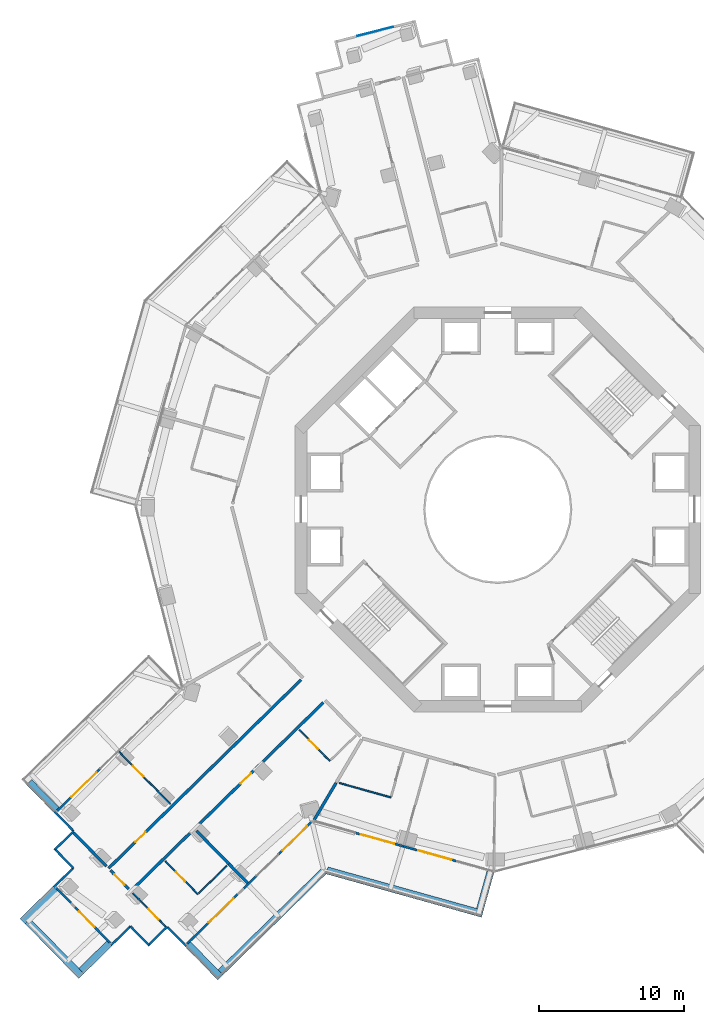
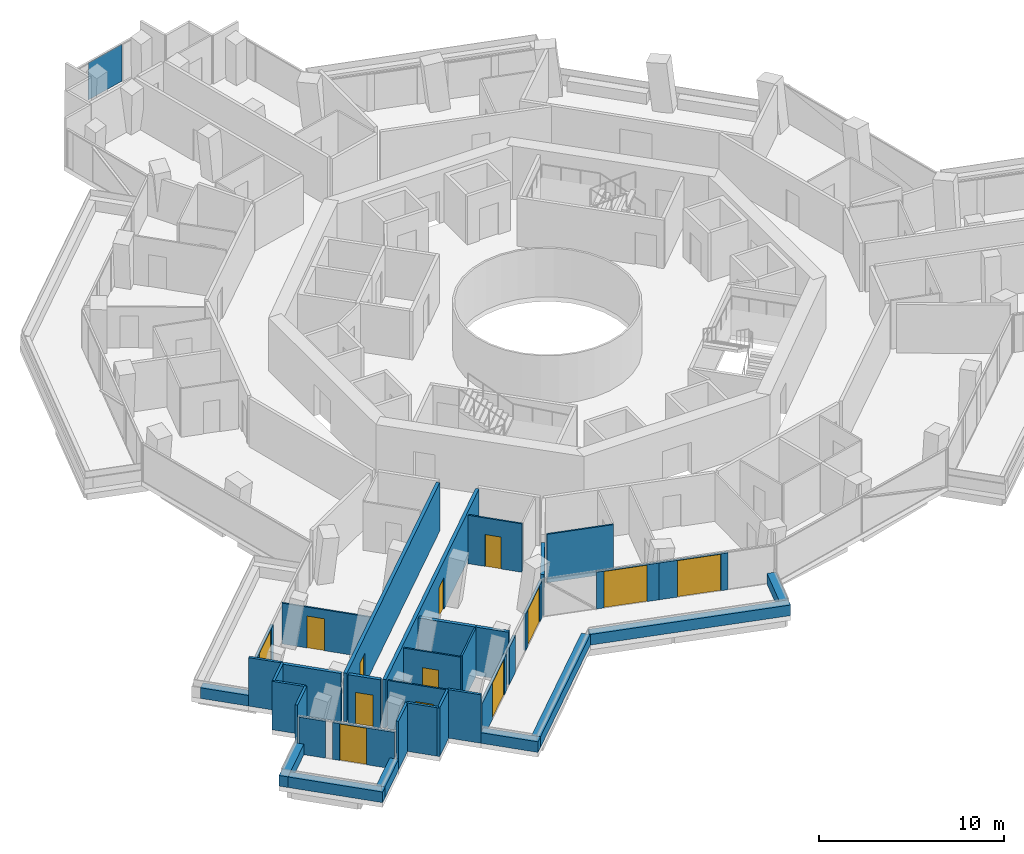
# One storey, part 18 of 26: 37 walls, 13 doors, 1 plate, 13 openings, 1 element without a shape of its own.
"""IFC4 building model written with IfcOpenShell, lengths in metres."""

from ifc_helpers import new_model, si_unit, direction, frame, frame_2d, origin, origin_2d, place, context, subcontext, project, spatial, rectangle, extrude, material, layer, layer_set, type_object, element, fill, aggregate, save


model = new_model("IFC4")

# Units and contexts
model_context = context("Model", 3, precision=1e-05, world=origin(), true_north=direction((0.0, 1.0)))
body_context = subcontext(model_context, "Body", "Model", "MODEL_VIEW")
ifc_project = project(units=[si_unit("LENGTHUNIT", "METRE"), si_unit("AREAUNIT", "SQUARE_METRE"), si_unit("VOLUMEUNIT", "CUBIC_METRE"), si_unit("PLANEANGLEUNIT", "RADIAN"), si_unit("MASSUNIT", "GRAM", prefix="KILO")], contexts=[model_context])

# Site, building, storey
site_placement = place(None, origin())
site = spatial("IfcSite", under=ifc_project, at=site_placement, CompositionType="ELEMENT")
building_placement = place(site_placement, origin())
building = spatial("IfcBuilding", under=site, at=building_placement, Name="Verdalira Terraces Hotel", CompositionType="ELEMENT")
storey_placement = place(building_placement, frame((0.0, 0.0, 93.0)))
storey = spatial("IfcBuildingStorey", under=building, at=storey_placement, Name="L21", CompositionType="ELEMENT", Elevation=93.0)

# Curtain wall, plate
ifc_material_1 = material(Name="Clear glass", Category="glass")
ifc_layer_1 = layer(ifc_material_1, 0.14990234375)
ifc_layer_set_1 = layer_set([ifc_layer_1], Name="CW3 curtain wall")
curtain_wall_type = type_object("IfcCurtainWallType", Name="CW3 curtain wall", PredefinedType="NOTDEFINED", material=ifc_layer_set_1)
curtain_wall_placement = place(storey_placement, origin())
curtain_wall = element("IfcCurtainWall", 1, at=curtain_wall_placement, inside=storey, type_object=curtain_wall_type, Name="CW3 curtain wall L21 edge 5", PredefinedType="NOTDEFINED")
ifc_material_2 = material(Name="Clear glass", Category="glass")
ifc_layer_2 = layer(ifc_material_2, 0.035888671875)
ifc_layer_set_2 = layer_set([ifc_layer_2], Name="CW3 glass unit 36")
plate_type = type_object("IfcPlateType", Name="CW3 glass unit 36", PredefinedType="CURTAIN_PANEL", material=ifc_layer_set_2)
plate_placement = place(storey_placement, frame((-8.459717, 33.041504, 0.0), z_axis=(0.0, 0.0, 1.0), x_axis=(-0.968583161, -0.248689887, 0.0)))
plate = element("IfcPlate", 2, at=plate_placement, type_object=plate_type, Name="CW3 glass unit", PredefinedType="CURTAIN_PANEL", context=body_context, shape_type="SweptSolid", body=[
    extrude(rectangle(XDim=2.546143, YDim=0.035889, at=origin_2d()), origin(), (0.0, 0.0, 1.0), 2.425049),
])
aggregate(curtain_wall, [plate])

# Walls
ifc_material_3 = material(Name="Concrete C40", Category="concrete")
ifc_layer_3 = layer(ifc_material_3, 0.5)
ifc_layer_set_3 = layer_set([ifc_layer_3], Name="Balcony planter trough with tree")
wall_type_1 = type_object("IfcWallType", Name="Balcony planter trough with tree", PredefinedType="SOLIDWALL", material=ifc_layer_set_3)
wall_1_placement = place(storey_placement, frame((-32.395264, -18.847168, 0.0), z_axis=(0.0, 0.0, 1.0), x_axis=(0.699604588, -0.71453021, 0.0)))
element("IfcWall", 3, at=wall_1_placement, inside=storey, type_object=wall_type_1, Name="Balcony planter", PredefinedType="SOLIDWALL", context=body_context, shape_type="SweptSolid", body=[
    extrude(rectangle(XDim=2.698975, YDim=0.5, at=frame_2d((1.349609, 0.0))), origin(), (0.0, 0.0, 1.0), 0.699951),
])
wall_2_placement = place(storey_placement, frame((-30.563965, -26.221436, 0.0), z_axis=(0.0, 0.0, 1.0), x_axis=(-0.714470686, -0.699665376, 0.0)))
element("IfcWall", 4, at=wall_2_placement, inside=storey, type_object=wall_type_1, Name="Balcony planter", PredefinedType="SOLIDWALL", context=body_context, shape_type="SweptSolid", body=[
    extrude(rectangle(XDim=3.198975, YDim=0.5, at=frame_2d((1.599609, 0.0))), origin(), (0.0, 0.0, 1.0), 0.699951),
])
wall_3_placement = place(storey_placement, frame((-32.496094, -28.463379, 0.0), z_axis=(0.0, 0.0, 1.0), x_axis=(0.699674765, -0.714461492, 0.0)))
element("IfcWall", 5, at=wall_3_placement, inside=storey, type_object=wall_type_1, Name="Balcony planter", PredefinedType="SOLIDWALL", context=body_context, shape_type="SweptSolid", body=[
    extrude(rectangle(XDim=5.300049, YDim=0.5, at=frame_2d((2.649902, 0.0))), origin(), (0.0, 0.0, 1.0), 0.699951),
])
wall_4_placement = place(storey_placement, frame((-28.78418, -31.896484, 0.0), z_axis=(0.0, 0.0, 1.0), x_axis=(0.714484992, 0.699650767, 0.0)))
element("IfcWall", 6, at=wall_4_placement, inside=storey, type_object=wall_type_1, Name="Balcony planter", PredefinedType="SOLIDWALL", context=body_context, shape_type="SweptSolid", body=[
    extrude(rectangle(XDim=2.699219, YDim=0.5, at=frame_2d((1.349609, 0.0))), origin(), (0.0, 0.0, 1.0), 0.699951),
])
wall_5_placement = place(storey_placement, frame((-21.409912, -30.065186, 0.0), z_axis=(0.0, 0.0, 1.0), x_axis=(0.699665376, -0.714470686, 0.0)))
element("IfcWall", 7, at=wall_5_placement, inside=storey, type_object=wall_type_1, Name="Balcony planter", PredefinedType="SOLIDWALL", context=body_context, shape_type="SweptSolid", body=[
    extrude(rectangle(XDim=3.198975, YDim=0.5, at=frame_2d((1.599609, 0.0))), origin(), (0.0, 0.0, 1.0), 0.699951),
])
wall_6_placement = place(storey_placement, frame((-19.167969, -31.997314, 0.0), z_axis=(0.0, 0.0, 1.0), x_axis=(0.714470668, 0.699665395, 0.0)))
element("IfcWall", 8, at=wall_6_placement, inside=storey, type_object=wall_type_1, Name="Balcony planter", PredefinedType="SOLIDWALL", context=body_context, shape_type="SweptSolid", body=[
    extrude(rectangle(XDim=9.976562, YDim=0.5, at=frame_2d((4.988281, 0.0))), origin(), (0.0, 0.0, 1.0), 0.699951),
])
wall_7_placement = place(storey_placement, frame((-11.797852, -24.954834, 0.0), z_axis=(0.0, 0.0, 1.0), x_axis=(0.963157935, -0.26893641, 0.0)))
element("IfcWall", 9, at=wall_7_placement, inside=storey, type_object=wall_type_1, Name="Balcony planter", PredefinedType="SOLIDWALL", context=body_context, shape_type="SweptSolid", body=[
    extrude(rectangle(XDim=11.152344, YDim=0.5, at=frame_2d((5.576172, 0.0))), origin(), (0.0, 0.0, 1.0), 0.699951),
])
wall_8_placement = place(storey_placement, frame((-1.22998, -27.645996, 0.0), z_axis=(0.0, 0.0, 1.0), x_axis=(0.268921917, 0.963161982, 0.0)))
element("IfcWall", 10, at=wall_8_placement, inside=storey, type_object=wall_type_1, Name="Balcony planter", PredefinedType="SOLIDWALL", context=body_context, shape_type="SweptSolid", body=[
    extrude(rectangle(XDim=2.698975, YDim=0.5, at=frame_2d((1.349609, 0.0))), origin(), (0.0, 0.0, 1.0), 0.699951),
])

# Wall, opening, door
ifc_material_4 = material(Name="Moisture-resistant gypsum board partition")
ifc_layer_4 = layer(ifc_material_4, 0.10009765625)
ifc_layer_set_4 = layer_set([ifc_layer_4], Name="Bathroom partition 100 mm")
wall_type_2 = type_object("IfcWallType", Name="Bathroom partition 100 mm", PredefinedType="PARTITIONING", material=ifc_layer_set_4)
wall_9_placement = place(storey_placement, frame((-25.227539, -26.52417, 0.0), z_axis=(0.0, 0.0, 1.0), x_axis=(0.699673497, -0.714462733, 0.0)))
wall_9 = element("IfcWall", 11, at=wall_9_placement, inside=storey, type_object=wall_type_2, Name="Bathroom partition", PredefinedType="PARTITIONING", context=body_context, shape_type="SweptSolid", body=[
    extrude(rectangle(XDim=3.251953, YDim=0.100098, at=frame_2d((1.625977, 0.0))), origin(), (0.0, 0.0, 1.0), 3.189941),
])
opening_1_placement = place(wall_9_placement, frame((1.550049, 0.0, 0.0)))
opening_1 = element("IfcOpeningElement", 12, at=opening_1_placement, cuts=wall_9, Name="Opening L21-117", PredefinedType="OPENING", context=body_context, shape_type="SweptSolid", body=[
    extrude(rectangle(XDim=1.0, YDim=2.100098, at=frame_2d((0.5, 1.050049))), frame((0.0, 0.060059, 0.0), z_axis=(0.0, -1.0, 0.0), x_axis=(1.0, 0.0, 0.0)), (0.0, 0.0, 1.0), 0.120117),
])
ifc_material_5 = material(Name="Timber door", Category="wood")
door_type_1 = type_object("IfcDoorType", Name="Suite internal door 1000 x 2100", OperationType="NOTDEFINED", PredefinedType="DOOR", material=ifc_material_5)
door_1_placement = place(opening_1_placement, origin())
door_1 = element("IfcDoor", 13, at=door_1_placement, inside=storey, type_object=door_type_1, Name="Suite internal door 2106", OperationType="SINGLE_SWING_LEFT", OverallHeight=2.10009765625, OverallWidth=1.0, PredefinedType="DOOR", context=body_context, shape_type="SweptSolid", body=[
    extrude(rectangle(XDim=1.0, YDim=2.100098, at=frame_2d((0.5, 1.050049))), frame((0.0, 0.024902, 0.0), z_axis=(0.0, -1.0, 0.0), x_axis=(1.0, 0.0, 0.0)), (0.0, 0.0, 1.0), 0.050049),
])
fill(opening_1, door_1)

wall_10_placement = place(storey_placement, frame((-22.968262, -24.311768, 0.0), z_axis=(0.0, 0.0, 1.0), x_axis=(0.69962885, -0.714506454, 0.0)))
wall_10 = element("IfcWall", 14, at=wall_10_placement, inside=storey, type_object=wall_type_2, Name="Bathroom partition", PredefinedType="PARTITIONING", context=body_context, shape_type="SweptSolid", body=[
    extrude(rectangle(XDim=3.199951, YDim=0.100098, at=frame_2d((1.600098, 0.0))), origin(), (0.0, 0.0, 1.0), 3.189941),
])
opening_2_placement = place(wall_10_placement, frame((1.050049, 0.0, 0.0)))
opening_2 = element("IfcOpeningElement", 15, at=opening_2_placement, cuts=wall_10, Name="Opening L21-118", PredefinedType="OPENING", context=body_context, shape_type="SweptSolid", body=[
    extrude(rectangle(XDim=0.899902, YDim=2.100098, at=frame_2d((0.449951, 1.050049))), frame((0.0, 0.060059, 0.0), z_axis=(0.0, -1.0, 0.0), x_axis=(1.0, 0.0, 0.0)), (0.0, 0.0, 1.0), 0.120117),
])
ifc_material_6 = material(Name="Timber door", Category="wood")
door_type_2 = type_object("IfcDoorType", Name="Bathroom door 900 x 2100", OperationType="NOTDEFINED", PredefinedType="DOOR", material=ifc_material_6)
door_2_placement = place(opening_2_placement, origin())
door_2 = element("IfcDoor", 16, at=door_2_placement, inside=storey, type_object=door_type_2, Name="Bathroom door 2106", OperationType="SINGLE_SWING_RIGHT", OverallHeight=2.10009765625, OverallWidth=0.89990234375, PredefinedType="DOOR", context=body_context, shape_type="SweptSolid", body=[
    extrude(rectangle(XDim=0.899902, YDim=2.100098, at=frame_2d((0.449951, 1.050049))), frame((0.0, 0.024902, 0.0), z_axis=(0.0, -1.0, 0.0), x_axis=(1.0, 0.0, 0.0)), (0.0, 0.0, 1.0), 0.050049),
])
fill(opening_2, door_2)

# Wall
wall_11_placement = place(storey_placement, frame((-20.657959, -26.528076, 0.0), z_axis=(0.0, 0.0, 1.0), x_axis=(0.714437911, 0.699698843, 0.0)))
element("IfcWall", 17, at=wall_11_placement, inside=storey, type_object=wall_type_2, Name="Bathroom partition", PredefinedType="PARTITIONING", context=body_context, shape_type="SweptSolid", body=[
    extrude(rectangle(XDim=2.699951, YDim=0.100098, at=frame_2d((1.350098, 0.0))), origin(), (0.0, 0.0, 1.0), 3.189941),
])

# Wall, opening, door
wall_12_placement = place(storey_placement, frame((-13.70752, -15.24292, 0.0), z_axis=(0.0, 0.0, 1.0), x_axis=(0.699703553, -0.714433298, 0.0)))
wall_12 = element("IfcWall", 18, at=wall_12_placement, inside=storey, type_object=wall_type_2, Name="Bathroom partition", PredefinedType="PARTITIONING", context=body_context, shape_type="SweptSolid", body=[
    extrude(rectangle(XDim=3.0, YDim=0.100098, at=frame_2d((1.5, 0.0))), origin(), (0.0, 0.0, 1.0), 3.189941),
])
opening_3_placement = place(wall_12_placement, frame((0.949951, 0.0, 0.0)))
opening_3 = element("IfcOpeningElement", 19, at=opening_3_placement, cuts=wall_12, Name="Opening L21-120", PredefinedType="OPENING", context=body_context, shape_type="SweptSolid", body=[
    extrude(rectangle(XDim=0.899902, YDim=2.100098, at=frame_2d((0.449951, 1.050049))), frame((0.0, 0.060059, 0.0), z_axis=(0.0, -1.0, 0.0), x_axis=(1.0, 0.0, 0.0)), (0.0, 0.0, 1.0), 0.120117),
])
door_3_placement = place(opening_3_placement, origin())
door_3 = element("IfcDoor", 20, at=door_3_placement, inside=storey, type_object=door_type_2, Name="Bathroom door 2107", OperationType="SINGLE_SWING_RIGHT", OverallHeight=2.10009765625, OverallWidth=0.89990234375, PredefinedType="DOOR", context=body_context, shape_type="SweptSolid", body=[
    extrude(rectangle(XDim=0.899902, YDim=2.100098, at=frame_2d((0.449951, 1.050049))), frame((0.0, 0.024902, 0.0), z_axis=(0.0, -1.0, 0.0), x_axis=(1.0, 0.0, 0.0)), (0.0, 0.0, 1.0), 0.050049),
])
fill(opening_3, door_3)

# Wall
wall_13_placement = place(storey_placement, frame((-10.950928, -18.909912, 0.0), z_axis=(0.0, 0.0, 1.0), x_axis=(0.963158191, -0.268935493, 0.0)))
element("IfcWall", 21, at=wall_13_placement, inside=storey, type_object=wall_type_2, Name="Bathroom partition", PredefinedType="PARTITIONING", context=body_context, shape_type="SweptSolid", body=[
    extrude(rectangle(XDim=3.703857, YDim=0.100098, at=frame_2d((1.852051, 0.0))), origin(), (0.0, 0.0, 1.0), 3.189941),
])

# Wall, opening, door
ifc_material_7 = material(Name="Moisture-resistant gypsum board partition")
ifc_layer_5 = layer(ifc_material_7, 0.10009765625)
ifc_layer_set_5 = layer_set([ifc_layer_5], Name="Bathroom partition 100 mm to beam soffit")
wall_type_3 = type_object("IfcWallType", Name="Bathroom partition 100 mm to beam soffit", PredefinedType="PARTITIONING", material=ifc_layer_set_5)
wall_14_placement = place(storey_placement, frame((-26.17749, -16.74707, 0.0), z_axis=(0.0, 0.0, 1.0), x_axis=(0.699671581, -0.71446461, 0.0)))
wall_14 = element("IfcWall", 22, at=wall_14_placement, inside=storey, type_object=wall_type_3, Name="Bathroom partition", PredefinedType="PARTITIONING", context=body_context, shape_type="SweptSolid", body=[
    extrude(rectangle(XDim=5.050049, YDim=0.100098, at=frame_2d((2.524902, 0.0))), origin(), (0.0, 0.0, 1.0), 2.689941),
])
opening_4_placement = place(wall_14_placement, frame((1.399902, 0.0, 0.0)))
opening_4 = element("IfcOpeningElement", 23, at=opening_4_placement, cuts=wall_14, Name="Opening L21-114", PredefinedType="OPENING", context=body_context, shape_type="SweptSolid", body=[
    extrude(rectangle(XDim=1.0, YDim=2.100098, at=frame_2d((0.5, 1.050049))), frame((0.0, 0.060059, 0.0), z_axis=(0.0, -1.0, 0.0), x_axis=(1.0, 0.0, 0.0)), (0.0, 0.0, 1.0), 0.120117),
])
door_4_placement = place(opening_4_placement, origin())
door_4 = element("IfcDoor", 24, at=door_4_placement, inside=storey, type_object=door_type_1, Name="Suite internal door 2105", OperationType="SINGLE_SWING_LEFT", OverallHeight=2.10009765625, OverallWidth=1.0, PredefinedType="DOOR", context=body_context, shape_type="SweptSolid", body=[
    extrude(rectangle(XDim=1.0, YDim=2.100098, at=frame_2d((0.5, 1.050049))), frame((0.0, 0.024902, 0.0), z_axis=(0.0, -1.0, 0.0), x_axis=(1.0, 0.0, 0.0)), (0.0, 0.0, 1.0), 0.050049),
])
fill(opening_4, door_4)

# Walls
ifc_material_8 = material(Name="Fire-rated gypsum board wall")
ifc_layer_6 = layer(ifc_material_8, 0.199951171875)
ifc_layer_set_6 = layer_set([ifc_layer_6], Name="Demising wall 200 mm")
wall_type_4 = type_object("IfcWallType", Name="Demising wall 200 mm", PredefinedType="SOLIDWALL", material=ifc_layer_set_6)
wall_15_placement = place(storey_placement, frame((-27.046631, -24.666504, 0.0), z_axis=(0.0, 0.0, 1.0), x_axis=(-0.699668735, 0.714467397, 0.0)))
element("IfcWall", 25, at=wall_15_placement, inside=storey, type_object=wall_type_4, Name="Demising wall", PredefinedType="SOLIDWALL", context=body_context, shape_type="SweptSolid", body=[
    extrude(rectangle(XDim=3.25, YDim=0.199951, at=frame_2d((1.625, 0.0))), origin(), (0.0, 0.0, 1.0), 3.189941),
])
wall_16_placement = place(storey_placement, frame((-20.824951, -22.212891, 0.0), z_axis=(0.0, 0.0, 1.0), x_axis=(0.699705936, -0.714430965, 0.0)))
element("IfcWall", 26, at=wall_16_placement, inside=storey, type_object=wall_type_4, Name="Demising wall", PredefinedType="SOLIDWALL", context=body_context, shape_type="SweptSolid", body=[
    extrude(rectangle(XDim=3.199951, YDim=0.199951, at=frame_2d((1.600098, 0.0))), origin(), (0.0, 0.0, 1.0), 3.189941),
])
wall_17_placement = place(storey_placement, frame((-18.585938, -24.499023, 0.0), z_axis=(0.0, 0.0, 1.0), x_axis=(0.699678126, -0.7144582, 0.0)))
element("IfcWall", 27, at=wall_17_placement, inside=storey, type_object=wall_type_4, Name="Demising wall", PredefinedType="SOLIDWALL", context=body_context, shape_type="SweptSolid", body=[
    extrude(rectangle(XDim=1.850098, YDim=0.199951, at=frame_2d((0.925049, 0.0))), origin(), (0.0, 0.0, 1.0), 3.189941),
])
ifc_material_9 = material(Name="Fire-rated gypsum board wall")
ifc_layer_7 = layer(ifc_material_9, 0.199951171875)
ifc_layer_set_7 = layer_set([ifc_layer_7], Name="Demising wall 200 mm to beam soffit")
wall_type_5 = type_object("IfcWallType", Name="Demising wall 200 mm to beam soffit", PredefinedType="SOLIDWALL", material=ifc_layer_set_7)
wall_18_placement = place(storey_placement, frame((-11.174805, -18.895508, 0.0), z_axis=(0.0, 0.0, 1.0), x_axis=(-0.509048846, -0.860737633, 0.0)))
element("IfcWall", 28, at=wall_18_placement, inside=storey, type_object=wall_type_5, Name="Demising wall", PredefinedType="SOLIDWALL", context=body_context, shape_type="SweptSolid", body=[
    extrude(rectangle(XDim=3.011475, YDim=0.199951, at=frame_2d((1.505859, 0.0))), origin(), (0.0, 0.0, 1.0), 2.689941),
])

# Wall, opening, door
ifc_material_10 = material(Name="Fire-rated gypsum board wall")
ifc_layer_8 = layer(ifc_material_10, 0.199951171875)
ifc_layer_set_8 = layer_set([ifc_layer_8], Name="Guest corridor wall 200 mm")
wall_type_6 = type_object("IfcWallType", Name="Guest corridor wall 200 mm", PredefinedType="SOLIDWALL", material=ifc_layer_set_8)
wall_19_placement = place(storey_placement, frame((-25.506104, -26.239746, 0.0), z_axis=(0.0, 0.0, 1.0), x_axis=(-0.699692443, 0.714444179, 0.0)))
wall_19 = element("IfcWall", 29, at=wall_19_placement, inside=storey, type_object=wall_type_6, Name="Guest corridor wall", PredefinedType="SOLIDWALL", context=body_context, shape_type="SweptSolid", body=[
    extrude(rectangle(XDim=1.803955, YDim=0.199951, at=frame_2d((0.901855, 0.0))), origin(), (0.0, 0.0, 1.0), 3.189941),
])
opening_5_placement = place(wall_19_placement, frame((0.399902, 0.0, 0.0)))
opening_5 = element("IfcOpeningElement", 30, at=opening_5_placement, cuts=wall_19, Name="Opening L21-116", PredefinedType="OPENING", context=body_context, shape_type="SweptSolid", body=[
    extrude(rectangle(XDim=1.0, YDim=2.100098, at=frame_2d((0.5, 1.050049))), frame((0.0, 0.109863, 0.0), z_axis=(0.0, -1.0, 0.0), x_axis=(1.0, 0.0, 0.0)), (0.0, 0.0, 1.0), 0.219971),
])
ifc_material_11 = material(Name="Timber fire door", Category="wood")
door_type_3 = type_object("IfcDoorType", Name="Guest entry door 1000 x 2100", OperationType="NOTDEFINED", PredefinedType="DOOR", material=ifc_material_11)
door_5_placement = place(opening_5_placement, origin())
door_5 = element("IfcDoor", 31, at=door_5_placement, inside=storey, type_object=door_type_3, Name="Guest entry door 2106", OperationType="SINGLE_SWING_LEFT", OverallHeight=2.10009765625, OverallWidth=1.0, PredefinedType="DOOR", context=body_context, shape_type="SweptSolid", body=[
    extrude(rectangle(XDim=1.0, YDim=2.100098, at=frame_2d((0.5, 1.050049))), frame((0.0, 0.024902, 0.0), z_axis=(0.0, -1.0, 0.0), x_axis=(1.0, 0.0, 0.0)), (0.0, 0.0, 1.0), 0.050049),
])
fill(opening_5, door_5)

wall_20_placement = place(storey_placement, frame((-26.906738, -24.809326, 0.0), z_axis=(0.0, 0.0, 1.0), x_axis=(0.714474521, 0.699661461, 0.0)))
wall_20 = element("IfcWall", 32, at=wall_20_placement, inside=storey, type_object=wall_type_6, Name="Guest corridor wall", PredefinedType="SOLIDWALL", context=body_context, shape_type="SweptSolid", body=[
    extrude(rectangle(XDim=18.624023, YDim=0.199951, at=frame_2d((9.312012, 0.0))), origin(), (0.0, 0.0, 1.0), 3.189941),
])
opening_6_placement = place(wall_20_placement, frame((2.600098, 0.0, 0.0)))
opening_6 = element("IfcOpeningElement", 33, at=opening_6_placement, cuts=wall_20, Name="Opening L21-113", PredefinedType="OPENING", context=body_context, shape_type="SweptSolid", body=[
    extrude(rectangle(XDim=1.0, YDim=2.100098, at=frame_2d((0.5, 1.050049))), frame((0.0, 0.109863, 0.0), z_axis=(0.0, -1.0, 0.0), x_axis=(1.0, 0.0, 0.0)), (0.0, 0.0, 1.0), 0.219971),
])
door_6_placement = place(opening_6_placement, origin())
door_6 = element("IfcDoor", 34, at=door_6_placement, inside=storey, type_object=door_type_3, Name="Guest entry door 2105", OperationType="SINGLE_SWING_LEFT", OverallHeight=2.10009765625, OverallWidth=1.0, PredefinedType="DOOR", context=body_context, shape_type="SweptSolid", body=[
    extrude(rectangle(XDim=1.0, YDim=2.100098, at=frame_2d((0.5, 1.050049))), frame((0.0, 0.024902, 0.0), z_axis=(0.0, -1.0, 0.0), x_axis=(1.0, 0.0, 0.0)), (0.0, 0.0, 1.0), 0.050049),
])
fill(opening_6, door_6)

wall_21_placement = place(storey_placement, frame((-12.061035, -13.350586, 0.0), z_axis=(0.0, 0.0, 1.0), x_axis=(-0.714474521, -0.699661461, 0.0)))
wall_21 = element("IfcWall", 35, at=wall_21_placement, inside=storey, type_object=wall_type_6, Name="Guest corridor wall", PredefinedType="SOLIDWALL", context=body_context, shape_type="SweptSolid", body=[
    extrude(rectangle(XDim=18.624023, YDim=0.199951, at=frame_2d((9.312012, 0.0))), origin(), (0.0, 0.0, 1.0), 3.189941),
])
opening_7_placement = place(wall_21_placement, frame((7.0, 0.0, 0.0)))
opening_7 = element("IfcOpeningElement", 36, at=opening_7_placement, cuts=wall_21, Name="Opening L21-119", PredefinedType="OPENING", context=body_context, shape_type="SweptSolid", body=[
    extrude(rectangle(XDim=1.0, YDim=2.100098, at=frame_2d((0.5, 1.050049))), frame((0.0, 0.109863, 0.0), z_axis=(0.0, -1.0, 0.0), x_axis=(1.0, 0.0, 0.0)), (0.0, 0.0, 1.0), 0.219971),
])
door_7_placement = place(opening_7_placement, origin())
door_7 = element("IfcDoor", 37, at=door_7_placement, inside=storey, type_object=door_type_3, Name="Guest entry door 2107", OperationType="SINGLE_SWING_RIGHT", OverallHeight=2.10009765625, OverallWidth=1.0, PredefinedType="DOOR", context=body_context, shape_type="SweptSolid", body=[
    extrude(rectangle(XDim=1.0, YDim=2.100098, at=frame_2d((0.5, 1.050049))), frame((0.0, 0.024902, 0.0), z_axis=(0.0, -1.0, 0.0), x_axis=(1.0, 0.0, 0.0)), (0.0, 0.0, 1.0), 0.050049),
])
fill(opening_7, door_7)

# Walls
ifc_material_12 = material(Name="Terracotta cladding", Category="masonry")
ifc_layer_9 = layer(ifc_material_12, 0.14990234375)
ifc_layer_set_9 = layer_set([ifc_layer_9], Name="Terracotta clad wall 150")
wall_type_7 = type_object("IfcWallType", Name="Terracotta clad wall 150", PredefinedType="SOLIDWALL", material=ifc_layer_set_9)
wall_22_placement = place(storey_placement, frame((-30.631348, -20.898682, 0.0), z_axis=(0.0, 0.0, 1.0), x_axis=(0.699712032, -0.714424994, 0.0)))
element("IfcWall", 38, at=wall_22_placement, inside=storey, type_object=wall_type_7, Name="Terracotta cladding wall", PredefinedType="SOLIDWALL", context=body_context, shape_type="SweptSolid", body=[
    extrude(rectangle(XDim=1.875, YDim=0.149902, at=frame_2d((0.9375, 0.0))), origin(), (0.0, 0.0, 1.0), 3.189941),
])
wall_23_placement = place(storey_placement, frame((-29.319336, -22.238281, 0.0), z_axis=(0.0, 0.0, 1.0), x_axis=(-0.714459577, -0.69967672, 0.0)))
element("IfcWall", 39, at=wall_23_placement, inside=storey, type_object=wall_type_7, Name="Terracotta cladding wall", PredefinedType="SOLIDWALL", context=body_context, shape_type="SweptSolid", body=[
    extrude(rectangle(XDim=1.800049, YDim=0.149902, at=frame_2d((0.899902, 0.0))), origin(), (0.0, 0.0, 1.0), 3.189941),
])
for number, where, z_axis, x_axis, name in (
    (40, (-30.657959, -23.444092, 0.0), (0.0, 0.0, 1.0), (0.699580477, -0.714553816, 0.0), "Terracotta cladding wall"),
    (41, (-29.346191, -24.783936, 0.0), (0.0, 0.0, 1.0), (-0.714490085, -0.699645567, 0.0), "Terracotta cladding wall"),
    (42, (-26.732666, -30.132568, 0.0), (0.0, 0.0, 1.0), (0.714424994, 0.699712032, 0.0), "Terracotta cladding wall"),
):
    element("IfcWall", number, at=place(storey_placement, frame(where, z_axis=z_axis, x_axis=x_axis)), inside=storey, type_object=wall_type_7, Name=name, PredefinedType="SOLIDWALL", context=body_context, shape_type="SweptSolid", body=[
        extrude(rectangle(XDim=1.875, YDim=0.149902, at=frame_2d((0.9375, 0.0))), origin(), (0.0, 0.0, 1.0), 3.189941),
    ])
wall_24_placement = place(storey_placement, frame((-25.393066, -28.820557, 0.0), z_axis=(0.0, 0.0, 1.0), x_axis=(0.69967672, -0.714459577, 0.0)))
element("IfcWall", 43, at=wall_24_placement, inside=storey, type_object=wall_type_7, Name="Terracotta cladding wall", PredefinedType="SOLIDWALL", context=body_context, shape_type="SweptSolid", body=[
    extrude(rectangle(XDim=1.800049, YDim=0.149902, at=frame_2d((0.899902, 0.0))), origin(), (0.0, 0.0, 1.0), 3.189941),
])
wall_25_placement = place(storey_placement, frame((-24.187256, -30.15918, 0.0), z_axis=(0.0, 0.0, 1.0), x_axis=(0.714424994, 0.699712032, 0.0)))
element("IfcWall", 44, at=wall_25_placement, inside=storey, type_object=wall_type_7, Name="Terracotta cladding wall", PredefinedType="SOLIDWALL", context=body_context, shape_type="SweptSolid", body=[
    extrude(rectangle(XDim=1.875, YDim=0.149902, at=frame_2d((0.9375, 0.0))), origin(), (0.0, 0.0, 1.0), 3.189941),
])
wall_26_placement = place(storey_placement, frame((-22.847656, -28.847168, 0.0), z_axis=(0.0, 0.0, 1.0), x_axis=(0.699646948, -0.714488732, 0.0)))
element("IfcWall", 45, at=wall_26_placement, inside=storey, type_object=wall_type_7, Name="Terracotta cladding wall", PredefinedType="SOLIDWALL", context=body_context, shape_type="SweptSolid", body=[
    extrude(rectangle(XDim=1.875244, YDim=0.149902, at=frame_2d((0.9375, 0.0))), origin(), (0.0, 0.0, 1.0), 3.189941),
])
ifc_material_13 = material(Name="Terracotta cladding", Category="masonry")
ifc_layer_10 = layer(ifc_material_13, 0.14990234375)
ifc_layer_set_10 = layer_set([ifc_layer_10], Name="Terracotta column pier 150")
wall_type_8 = type_object("IfcWallType", Name="Terracotta column pier 150", PredefinedType="SOLIDWALL", material=ifc_layer_set_10)
wall_27_placement = place(storey_placement, frame((-30.523682, -26.154053, 0.0), z_axis=(0.0, 0.0, 1.0), x_axis=(0.699738191, -0.714399373, 0.0)))
element("IfcWall", 46, at=wall_27_placement, inside=storey, type_object=wall_type_8, Name="Terracotta column pier", PredefinedType="SOLIDWALL", context=body_context, shape_type="SweptSolid", body=[
    extrude(rectangle(XDim=1.465332, YDim=0.149902, at=frame_2d((0.732666, 0.0))), origin(), (0.0, 0.0, 1.0), 2.425049),
])
wall_28_placement = place(storey_placement, frame((-17.560547, -26.189209, 0.0), z_axis=(0.0, 0.0, 1.0), x_axis=(0.714463189, 0.699673032, 0.0)))
element("IfcWall", 47, at=wall_28_placement, inside=storey, type_object=wall_type_8, Name="Terracotta column pier", PredefinedType="SOLIDWALL", context=body_context, shape_type="SweptSolid", body=[
    extrude(rectangle(XDim=1.238037, YDim=0.149902, at=frame_2d((0.619141, 0.0))), origin(), (0.0, 0.0, 1.0), 2.425049),
])

# Wall, opening, door
ifc_material_14 = material(Name="Terracotta cladding", Category="masonry")
ifc_layer_11 = layer(ifc_material_14, 0.14990234375)
ifc_layer_set_11 = layer_set([ifc_layer_11], Name="Terracotta door pier 150")
wall_type_9 = type_object("IfcWallType", Name="Terracotta door pier 150", PredefinedType="SOLIDWALL", material=ifc_layer_set_11)
wall_29_placement = place(storey_placement, frame((-27.466797, -17.904785, 0.0), z_axis=(0.0, 0.0, 1.0), x_axis=(-0.714489292, -0.699646376, 0.0)))
wall_29 = element("IfcWall", 48, at=wall_29_placement, inside=storey, type_object=wall_type_9, Name="Terracotta door pier", PredefinedType="SOLIDWALL", context=body_context, shape_type="SweptSolid", body=[
    extrude(rectangle(XDim=4.210693, YDim=0.149902, at=frame_2d((2.105469, 0.0))), origin(), (0.0, 0.0, 1.0), 2.425049),
])
opening_8_placement = place(wall_29_placement, frame((0.399902, 0.0, 0.0)))
opening_8 = element("IfcOpeningElement", 49, at=opening_8_placement, cuts=wall_29, Name="Opening L21-B06", PredefinedType="OPENING", context=body_context, shape_type="SweptSolid", body=[
    extrude(rectangle(XDim=2.399902, YDim=2.399902, at=frame_2d((1.199951, 1.199951))), frame((0.0, 0.084961, 0.0), z_axis=(0.0, -1.0, 0.0), x_axis=(1.0, 0.0, 0.0)), (0.0, 0.0, 1.0), 0.169922),
])
ifc_material_15 = material(Name="Clear glass", Category="glass")
door_type_4 = type_object("IfcDoorType", Name="Balcony sliding door 2400x2400", OperationType="NOTDEFINED", PredefinedType="DOOR", material=ifc_material_15)
door_8_placement = place(opening_8_placement, origin())
door_8 = element("IfcDoor", 50, at=door_8_placement, inside=storey, type_object=door_type_4, Name="Balcony sliding door", OperationType="SLIDING_TO_RIGHT", OverallHeight=2.39990234375, OverallWidth=2.39990234375, PredefinedType="DOOR", context=body_context, shape_type="SweptSolid", body=[
    extrude(rectangle(XDim=2.399902, YDim=2.399902, at=frame_2d((1.199951, 1.199951))), frame((0.0, 0.024902, 0.0), z_axis=(0.0, -1.0, 0.0), x_axis=(1.0, 0.0, 0.0)), (0.0, 0.0, 1.0), 0.050049),
])
fill(opening_8, door_8)

wall_30_placement = place(storey_placement, frame((-29.215332, -27.48999, 0.0), z_axis=(0.0, 0.0, 1.0), x_axis=(0.699644997, -0.714490642, 0.0)))
wall_30 = element("IfcWall", 51, at=wall_30_placement, inside=storey, type_object=wall_type_9, Name="Terracotta door pier", PredefinedType="SOLIDWALL", context=body_context, shape_type="SweptSolid", body=[
    extrude(rectangle(XDim=3.469971, YDim=0.149902, at=frame_2d((1.734863, 0.0))), origin(), (0.0, 0.0, 1.0), 2.425049),
])
opening_9_placement = place(wall_30_placement, frame((0.399902, 0.0, 0.0)))
opening_9 = element("IfcOpeningElement", 52, at=opening_9_placement, cuts=wall_30, Name="Opening L21-B07", PredefinedType="OPENING", context=body_context, shape_type="SweptSolid", body=[
    extrude(rectangle(XDim=1.5, YDim=2.399902, at=frame_2d((0.75, 1.199951))), frame((0.0, 0.084961, 0.0), z_axis=(0.0, -1.0, 0.0), x_axis=(1.0, 0.0, 0.0)), (0.0, 0.0, 1.0), 0.169922),
])
ifc_material_16 = material(Name="Clear glass", Category="glass")
door_type_5 = type_object("IfcDoorType", Name="Balcony sliding door 1500x2400", OperationType="NOTDEFINED", PredefinedType="DOOR", material=ifc_material_16)
door_9_placement = place(opening_9_placement, origin())
door_9 = element("IfcDoor", 53, at=door_9_placement, inside=storey, type_object=door_type_5, Name="Balcony sliding door", OperationType="SLIDING_TO_RIGHT", OverallHeight=2.39990234375, OverallWidth=1.5, PredefinedType="DOOR", context=body_context, shape_type="SweptSolid", body=[
    extrude(rectangle(XDim=1.5, YDim=2.399902, at=frame_2d((0.75, 1.199951))), frame((0.0, 0.024902, 0.0), z_axis=(0.0, -1.0, 0.0), x_axis=(1.0, 0.0, 0.0)), (0.0, 0.0, 1.0), 0.050049),
])
fill(opening_9, door_9)

wall_31_placement = place(storey_placement, frame((-21.484619, -30.031982, 0.0), z_axis=(0.0, 0.0, 1.0), x_axis=(0.714467355, 0.699668778, 0.0)))
wall_31 = element("IfcWall", 54, at=wall_31_placement, inside=storey, type_object=wall_type_9, Name="Terracotta door pier", PredefinedType="SOLIDWALL", context=body_context, shape_type="SweptSolid", body=[
    extrude(rectangle(XDim=4.899658, YDim=0.149902, at=frame_2d((2.449707, 0.0))), origin(), (0.0, 0.0, 1.0), 2.425049),
])
opening_10_placement = place(wall_31_placement, frame((2.099609, 0.0, 0.0)))
opening_10 = element("IfcOpeningElement", 55, at=opening_10_placement, cuts=wall_31, Name="Opening L21-B08", PredefinedType="OPENING", context=body_context, shape_type="SweptSolid", body=[
    extrude(rectangle(XDim=2.399902, YDim=2.399902, at=frame_2d((1.199951, 1.199951))), frame((0.0, 0.084961, 0.0), z_axis=(0.0, -1.0, 0.0), x_axis=(1.0, 0.0, 0.0)), (0.0, 0.0, 1.0), 0.169922),
])
door_10_placement = place(opening_10_placement, origin())
door_10 = element("IfcDoor", 56, at=door_10_placement, inside=storey, type_object=door_type_4, Name="Balcony sliding door", OperationType="SLIDING_TO_LEFT", OverallHeight=2.39990234375, OverallWidth=2.39990234375, PredefinedType="DOOR", context=body_context, shape_type="SweptSolid", body=[
    extrude(rectangle(XDim=2.399902, YDim=2.399902, at=frame_2d((1.199951, 1.199951))), frame((0.0, 0.024902, 0.0), z_axis=(0.0, -1.0, 0.0), x_axis=(1.0, 0.0, 0.0)), (0.0, 0.0, 1.0), 0.050049),
])
fill(opening_10, door_10)

wall_32_placement = place(storey_placement, frame((-15.172852, -23.851074, 0.0), z_axis=(0.0, 0.0, 1.0), x_axis=(0.714468315, 0.699667797, 0.0)))
wall_32 = element("IfcWall", 57, at=wall_32_placement, inside=storey, type_object=wall_type_9, Name="Terracotta door pier", PredefinedType="SOLIDWALL", context=body_context, shape_type="SweptSolid", body=[
    extrude(rectangle(XDim=3.200195, YDim=0.149902, at=frame_2d((1.600098, 0.0))), origin(), (0.0, 0.0, 1.0), 2.425049),
])
opening_11_placement = place(wall_32_placement, frame((0.399902, 0.0, 0.0)))
opening_11 = element("IfcOpeningElement", 58, at=opening_11_placement, cuts=wall_32, Name="Opening L21-B09", PredefinedType="OPENING", context=body_context, shape_type="SweptSolid", body=[
    extrude(rectangle(XDim=2.399902, YDim=2.399902, at=frame_2d((1.199951, 1.199951))), frame((0.0, 0.084961, 0.0), z_axis=(0.0, -1.0, 0.0), x_axis=(1.0, 0.0, 0.0)), (0.0, 0.0, 1.0), 0.169922),
])
door_11_placement = place(opening_11_placement, origin())
door_11 = element("IfcDoor", 59, at=door_11_placement, inside=storey, type_object=door_type_4, Name="Balcony sliding door", OperationType="SLIDING_TO_RIGHT", OverallHeight=2.39990234375, OverallWidth=2.39990234375, PredefinedType="DOOR", context=body_context, shape_type="SweptSolid", body=[
    extrude(rectangle(XDim=2.399902, YDim=2.399902, at=frame_2d((1.199951, 1.199951))), frame((0.0, 0.024902, 0.0), z_axis=(0.0, -1.0, 0.0), x_axis=(1.0, 0.0, 0.0)), (0.0, 0.0, 1.0), 0.050049),
])
fill(opening_11, door_11)

wall_33_placement = place(storey_placement, frame((-9.850342, -22.35791, 0.0), z_axis=(0.0, 0.0, 1.0), x_axis=(0.96315568, -0.268944485, 0.0)))
wall_33 = element("IfcWall", 60, at=wall_33_placement, inside=storey, type_object=wall_type_9, Name="Terracotta door pier", PredefinedType="SOLIDWALL", context=body_context, shape_type="SweptSolid", body=[
    extrude(rectangle(XDim=3.474854, YDim=0.149902, at=frame_2d((1.737305, 0.0))), origin(), (0.0, 0.0, 1.0), 2.425049),
])
opening_12_placement = place(wall_33_placement, frame((0.399902, 0.0, 0.0)))
opening_12 = element("IfcOpeningElement", 61, at=opening_12_placement, cuts=wall_33, Name="Opening L21-B10", PredefinedType="OPENING", context=body_context, shape_type="SweptSolid", body=[
    extrude(rectangle(XDim=2.399902, YDim=2.399902, at=frame_2d((1.199951, 1.199951))), frame((0.0, 0.084961, 0.0), z_axis=(0.0, -1.0, 0.0), x_axis=(1.0, 0.0, 0.0)), (0.0, 0.0, 1.0), 0.169922),
])
door_12_placement = place(opening_12_placement, origin())
door_12 = element("IfcDoor", 62, at=door_12_placement, inside=storey, type_object=door_type_4, Name="Balcony sliding door", OperationType="SLIDING_TO_RIGHT", OverallHeight=2.39990234375, OverallWidth=2.39990234375, PredefinedType="DOOR", context=body_context, shape_type="SweptSolid", body=[
    extrude(rectangle(XDim=2.399902, YDim=2.399902, at=frame_2d((1.199951, 1.199951))), frame((0.0, 0.024902, 0.0), z_axis=(0.0, -1.0, 0.0), x_axis=(1.0, 0.0, 0.0)), (0.0, 0.0, 1.0), 0.050049),
])
fill(opening_12, door_12)

wall_34_placement = place(storey_placement, frame((-6.503418, -23.29248, 0.0), z_axis=(0.0, 0.0, 1.0), x_axis=(0.963161418, -0.268923935, 0.0)))
wall_34 = element("IfcWall", 63, at=wall_34_placement, inside=storey, type_object=wall_type_9, Name="Terracotta door pier", PredefinedType="SOLIDWALL", context=body_context, shape_type="SweptSolid", body=[
    extrude(rectangle(XDim=3.835693, YDim=0.149902, at=frame_2d((1.917969, 0.0))), origin(), (0.0, 0.0, 1.0), 2.425049),
])
opening_13_placement = place(wall_34_placement, frame((1.0354, 0.0, 0.0)))
opening_13 = element("IfcOpeningElement", 64, at=opening_13_placement, cuts=wall_34, Name="Opening L21-B11", PredefinedType="OPENING", context=body_context, shape_type="SweptSolid", body=[
    extrude(rectangle(XDim=2.399902, YDim=2.399902, at=frame_2d((1.199951, 1.199951))), frame((0.0, 0.084961, 0.0), z_axis=(0.0, -1.0, 0.0), x_axis=(1.0, 0.0, 0.0)), (0.0, 0.0, 1.0), 0.169922),
])
door_13_placement = place(opening_13_placement, origin())
door_13 = element("IfcDoor", 65, at=door_13_placement, inside=storey, type_object=door_type_4, Name="Balcony sliding door", OperationType="SLIDING_TO_LEFT", OverallHeight=2.39990234375, OverallWidth=2.39990234375, PredefinedType="DOOR", context=body_context, shape_type="SweptSolid", body=[
    extrude(rectangle(XDim=2.399902, YDim=2.399902, at=frame_2d((1.199951, 1.199951))), frame((0.0, 0.024902, 0.0), z_axis=(0.0, -1.0, 0.0), x_axis=(1.0, 0.0, 0.0)), (0.0, 0.0, 1.0), 0.050049),
])
fill(opening_13, door_13)

save(model, "model.ifc")
